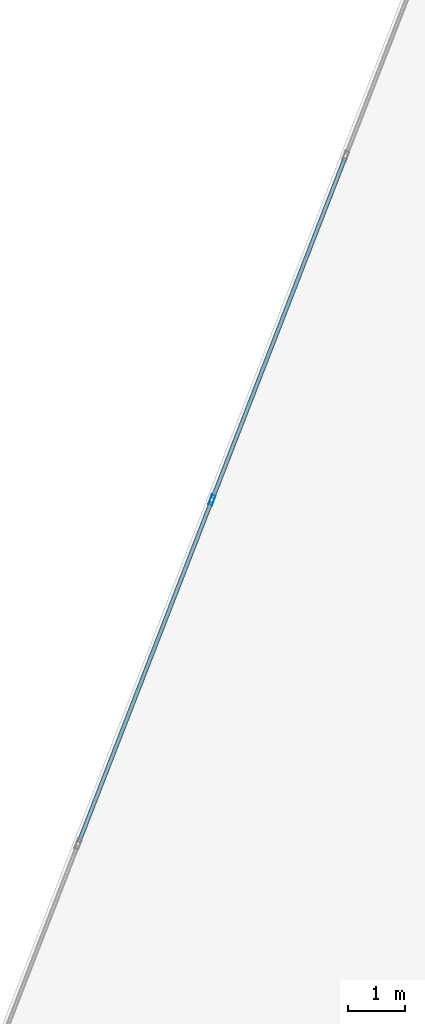
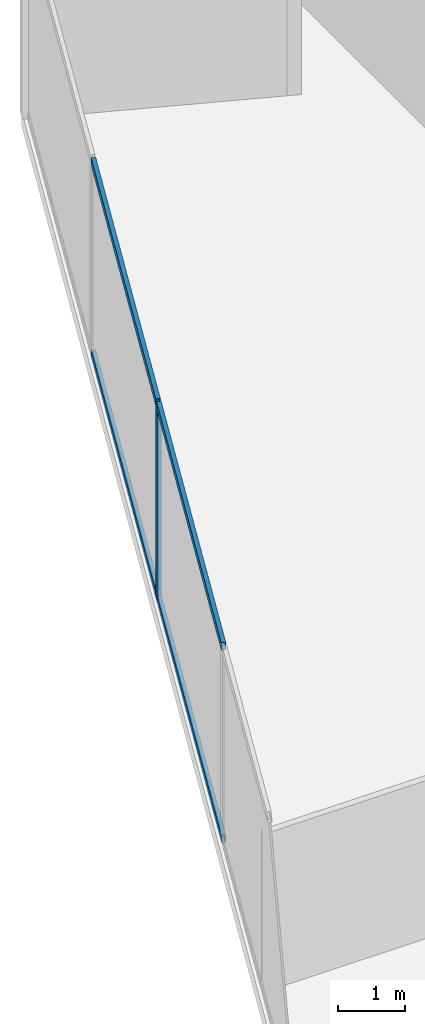
# One storey, part 14 of 26: 5 members, 1 element without a shape of its own.
"""IFC4 building model written with IfcOpenShell, lengths in metres."""

from ifc_helpers import new_model, si_unit, direction, frame, origin, origin_2d, place, context, subcontext, project, spatial, hollow_rectangle, extrude, source, transform, mapped, material, material_profile, profile_set, type_object, type_shapes, element, aggregate, save


model = new_model("IFC4")

# Units and contexts
model_context = context("Model", 3, precision=1e-05, world=origin(), true_north=direction((0.0, 1.0)))
body_context = subcontext(model_context, "Body", "Model", "MODEL_VIEW")
ifc_project = project(units=[si_unit("LENGTHUNIT", "METRE"), si_unit("AREAUNIT", "SQUARE_METRE"), si_unit("VOLUMEUNIT", "CUBIC_METRE"), si_unit("PLANEANGLEUNIT", "RADIAN"), si_unit("MASSUNIT", "GRAM", prefix="KILO")], contexts=[model_context])

# Site, building, storey
site_placement = place(None, origin())
site = spatial("IfcSite", under=ifc_project, at=site_placement, CompositionType="ELEMENT")
building_placement = place(site_placement, origin())
building = spatial("IfcBuilding", under=site, at=building_placement, Name="Krantzveldt Concourse Tower", CompositionType="ELEMENT")
storey_placement = place(building_placement, frame((0.0, 0.0, 137.449951171875)))
storey = spatial("IfcBuildingStorey", under=building, at=storey_placement, Name="L33", CompositionType="ELEMENT", Elevation=137.449951171875)

# Curtain wall, members
ifc_material = material(Name="Anodised aluminium 6063-T6", Category="aluminium")
curtain_wall_type = type_object("IfcCurtainWallType", Name="CW2", PredefinedType="USERDEFINED", material=ifc_material)
curtain_wall_placement = place(storey_placement, origin())
curtain_wall = element("IfcCurtainWall", 1, at=curtain_wall_placement, inside=storey, type_object=curtain_wall_type, Name="CW-L33-F01", ObjectType="UNITISED CURTAIN WALL", PredefinedType="USERDEFINED")
ifc_material_profile_1 = material_profile(ifc_material, hollow_rectangle(XDim=0.070068359375, YDim=0.139892578125, WallThickness=0.0048828125, at=origin_2d()), Name="Anodised aluminium 6063-T6", Category="aluminium")
ifc_profile_set_1 = profile_set([ifc_material_profile_1], Name="Anodised aluminium 6063-T6 - ALU-TRAN 140x70x5")
member_type_1 = type_object("IfcMemberType", Name="CW-TRN-150", PredefinedType="USERDEFINED", material=ifc_profile_set_1)
shared_shape_1 = source(origin(), body_context, "Body", "SweptSolid", [
    extrude(hollow_rectangle(XDim=0.070068359375, YDim=0.139892578125, WallThickness=0.0048828125, at=origin_2d()), origin(), (0.0, 0.0, 1.0), 6.396484375),
])
type_shapes(member_type_1, [shared_shape_1])
member_1_placement = place(storey_placement, frame((18.94970703125, 47.169677734375, 0.03515625), z_axis=(-0.36243705186, -0.932008252882, 0.0), x_axis=(0.932008252882, -0.36243705186, 0.0)))
member_1 = element("IfcMember", 2, at=member_1_placement, type_object=member_type_1, Name="CW-Z12 transom 2.1", ObjectType="TRANSOM", PredefinedType="USERDEFINED", context=body_context, shape_type="MappedRepresentation", body=[
    mapped(shared_shape_1, transform((0.0, 0.0, 0.0), x_axis=(1.0, 0.0, 0.0), y_axis=(0.0, 1.0, 0.0), z_axis=(0.0, 0.0, 1.0), scale=1.0)),
])
member_2_placement = place(storey_placement, frame((18.94970703125, 47.169677734375, 3.56494140625), z_axis=(-0.36243705186, -0.932008252882, 0.0), x_axis=(0.932008252882, -0.36243705186, 0.0)))
member_2 = element("IfcMember", 3, at=member_2_placement, type_object=member_type_1, Name="CW-Z12 transom 2.2", ObjectType="TRANSOM", PredefinedType="USERDEFINED", context=body_context, shape_type="MappedRepresentation", body=[
    mapped(shared_shape_1, transform((0.0, 0.0, 0.0), x_axis=(1.0, 0.0, 0.0), y_axis=(0.0, 1.0, 0.0), z_axis=(0.0, 0.0, 1.0), scale=1.0)),
])
member_3_placement = place(storey_placement, frame((16.60595703125, 41.142822265625, 0.03515625), z_axis=(-0.36243705186, -0.932008252882, 0.0), x_axis=(0.932008252882, -0.36243705186, 0.0)))
member_3 = element("IfcMember", 4, at=member_3_placement, type_object=member_type_1, Name="CW-Z12 transom 3.1", ObjectType="TRANSOM", PredefinedType="USERDEFINED", context=body_context, shape_type="MappedRepresentation", body=[
    mapped(shared_shape_1, transform((0.0, 0.0, 0.0), x_axis=(1.0, 0.0, 0.0), y_axis=(0.0, 1.0, 0.0), z_axis=(0.0, 0.0, 1.0), scale=1.0)),
])
member_4_placement = place(storey_placement, frame((16.60595703125, 41.142822265625, 3.56494140625), z_axis=(-0.36243705186, -0.932008252882, 0.0), x_axis=(0.932008252882, -0.36243705186, 0.0)))
member_4 = element("IfcMember", 5, at=member_4_placement, type_object=member_type_1, Name="CW-Z12 transom 3.2", ObjectType="TRANSOM", PredefinedType="USERDEFINED", context=body_context, shape_type="MappedRepresentation", body=[
    mapped(shared_shape_1, transform((0.0, 0.0, 0.0), x_axis=(1.0, 0.0, 0.0), y_axis=(0.0, 1.0, 0.0), z_axis=(0.0, 0.0, 1.0), scale=1.0)),
])
ifc_material_profile_2 = material_profile(ifc_material, hollow_rectangle(XDim=0.070068359375, YDim=0.179931640625, WallThickness=0.0048828125, at=origin_2d()), Name="Anodised aluminium 6063-T6", Category="aluminium")
ifc_profile_set_2 = profile_set([ifc_material_profile_2], Name="Anodised aluminium 6063-T6 - ALU-MULL 180x70x5")
member_type_2 = type_object("IfcMemberType", Name="CW-MUL-180", PredefinedType="MULLION", material=ifc_profile_set_2)
shared_shape_2 = source(origin(), body_context, "Body", "SweptSolid", [
    extrude(hollow_rectangle(XDim=0.070068359375, YDim=0.179931640625, WallThickness=0.0048828125, at=origin_2d()), origin(), (0.0, 0.0, 1.0), 3.60009765625),
])
type_shapes(member_type_2, [shared_shape_2])
member_5_placement = place(storey_placement, frame((16.61865234375, 41.17529296875, 0.0), z_axis=(0.0, 0.0, 1.0), x_axis=(0.93200790248, -0.362437952917, 0.0)))
member_5 = element("IfcMember", 6, at=member_5_placement, type_object=member_type_2, Name="CW-Z12 mullion 3", PredefinedType="MULLION", context=body_context, shape_type="MappedRepresentation", body=[
    mapped(shared_shape_2, transform((0.0, 0.0, 0.0), x_axis=(1.0, 0.0, 0.0), y_axis=(0.0, 1.0, 0.0), z_axis=(0.0, 0.0, 1.0), scale=1.0)),
])
aggregate(curtain_wall, [member_5, member_1, member_2, member_3, member_4])

save(model, "model.ifc")
